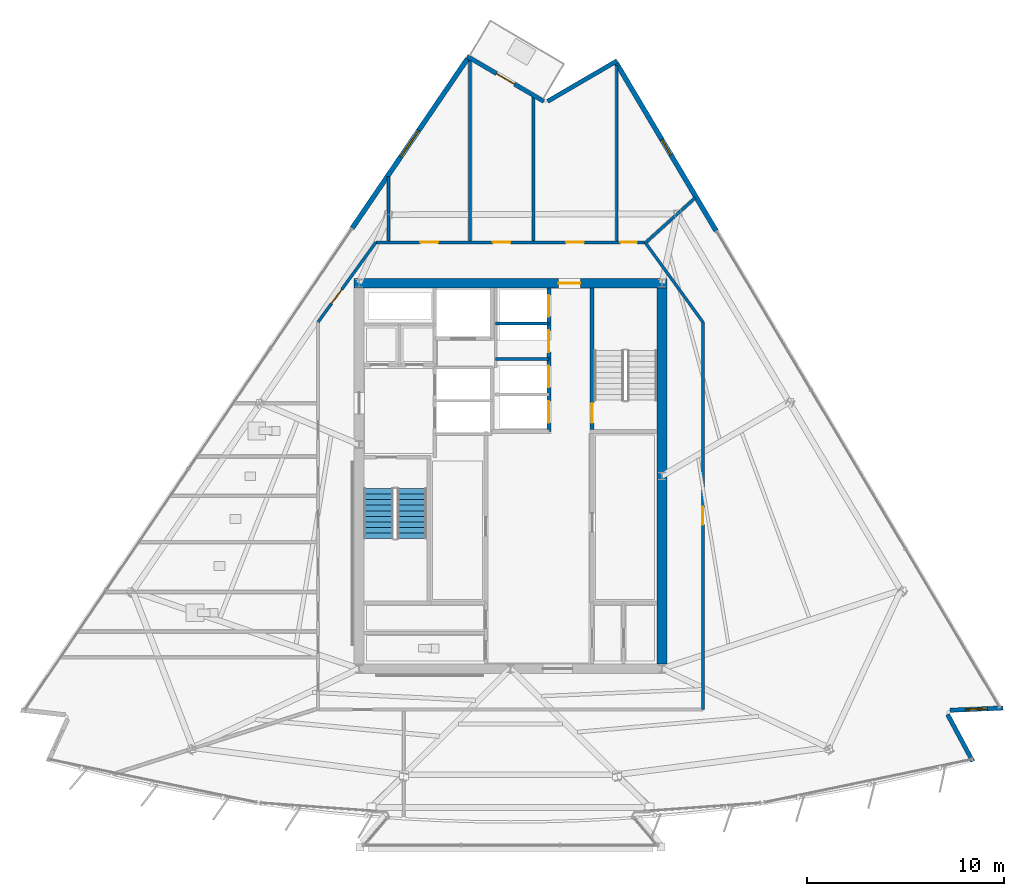
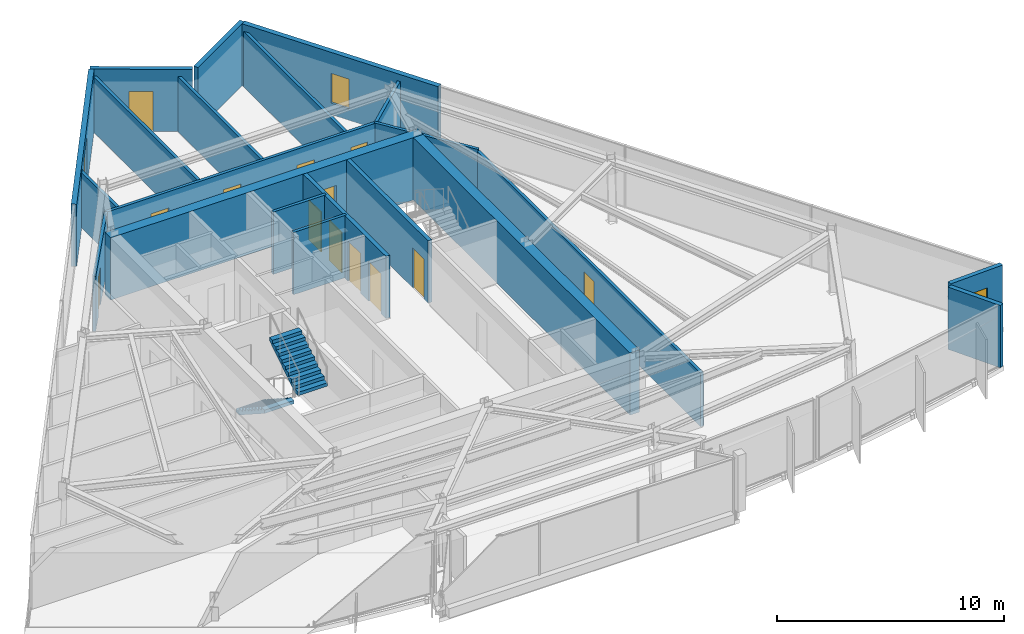
# One storey, part 9 of 14: 21 walls, 13 doors, 3 windows, 2 stair flights, 16 openings, 1 element without a shape of its own.
"""IFC4 building model written with IfcOpenShell, lengths in metres."""

from ifc_helpers import new_model, si_unit, direction, frame, frame_2d, origin, place, context, subcontext, project, spatial, polyline, rectangle, outline, extrude, material, layer, layer_set, type_object, element, fill, aggregate, save


model = new_model("IFC4")

# Units and contexts
model_context = context("Model", 3, precision=1e-05, world=origin(), true_north=direction((0.0, 1.0)))
body_context = subcontext(model_context, "Body", "Model", "MODEL_VIEW")
ifc_project = project(units=[si_unit("LENGTHUNIT", "METRE"), si_unit("AREAUNIT", "SQUARE_METRE"), si_unit("VOLUMEUNIT", "CUBIC_METRE"), si_unit("PLANEANGLEUNIT", "RADIAN"), si_unit("MASSUNIT", "GRAM", prefix="KILO")], contexts=[model_context])

# Site, building, storey
site_placement = place(None, origin())
site = spatial("IfcSite", under=ifc_project, at=site_placement, CompositionType="ELEMENT")
building_placement = place(site_placement, origin())
building = spatial("IfcBuilding", under=site, at=building_placement, Name="Savorim Split Tower", CompositionType="ELEMENT")
storey_placement = place(building_placement, frame((0.0, 0.0, 234.300048828125)))
storey = spatial("IfcBuildingStorey", under=building, at=storey_placement, Name="L62", CompositionType="ELEMENT", Elevation=234.300048828125)

# Wall, opening, door
ifc_material_1 = material(Name="Concrete C60/75", Category="concrete")
ifc_layer_1 = layer(ifc_material_1, 0.5)
ifc_layer_set_1 = layer_set([ifc_layer_1], Name="WAL-COR-SH500")
wall_type_1 = type_object("IfcWallType", Name="WAL-COR-SH500", PredefinedType="SHEAR", material=ifc_layer_set_1)
wall_1_placement = place(storey_placement, frame((7.949951171875, 10.199951171875, 0.0), z_axis=(0.0, 0.0, 1.0), x_axis=(-1.0, 0.0, 0.0)))
wall_1 = element("IfcWall", 1, at=wall_1_placement, inside=storey, type_object=wall_type_1, Name="L62 Offset Core North Shear Wall", PredefinedType="SHEAR", context=body_context, shape_type="SweptSolid", body=[
    extrude(rectangle(XDim=15.89990234375, YDim=0.5, at=frame_2d((7.949951171875, 0.0))), origin(), (0.0, 0.0, 1.0), 3.349853515625),
])
opening_1_placement = place(wall_1_placement, frame((4.39990234375, 0.0, 0.0)))
opening_1 = element("IfcOpeningElement", 2, at=opening_1_placement, cuts=wall_1, Name="Opening DI-03", PredefinedType="OPENING", context=body_context, shape_type="SweptSolid", body=[
    extrude(rectangle(XDim=1.10009765625, YDim=2.14990234375, at=frame_2d((0.550048828125, 1.074951171875))), frame((0.0, 0.260009765625, 0.0), z_axis=(0.0, -1.0, 0.0), x_axis=(1.0, 0.0, 0.0)), (0.0, 0.0, 1.0), 0.52001953125),
])
ifc_material_2 = material(Name="Timber Fire Door Leaf", Category="wood")
door_type_1 = type_object("IfcDoorType", Name="DOR-FIR-1100", OperationType="NOTDEFINED", PredefinedType="DOOR", material=ifc_material_2)
door_1_placement = place(opening_1_placement, origin())
door_1 = element("IfcDoor", 3, at=door_1_placement, inside=storey, type_object=door_type_1, Name="DOR-L62-COR-NLOB - L62 North Corridor Lobby Fire Door", OperationType="SINGLE_SWING_LEFT", OverallHeight=2.14990234375, OverallWidth=1.10009765625, PredefinedType="DOOR", context=body_context, shape_type="SweptSolid", body=[
    extrude(rectangle(XDim=1.10009765625, YDim=2.14990234375, at=frame_2d((0.550048828125, 1.074951171875))), frame((0.0, 0.02490234375, 0.0), z_axis=(0.0, -1.0, 0.0), x_axis=(1.0, 0.0, 0.0)), (0.0, 0.0, 1.0), 0.050048828125),
])
fill(opening_1, door_1)

# Walls
wall_2_placement = place(storey_placement, frame((7.699951171875, 9.949951171875, 0.0), z_axis=(0.0, 0.0, 1.0), x_axis=(0.0, -1.0, 0.0)))
element("IfcWall", 4, at=wall_2_placement, inside=storey, type_object=wall_type_1, Name="L62 Offset Core East Shear Wall", PredefinedType="SHEAR", context=body_context, shape_type="SweptSolid", body=[
    extrude(rectangle(XDim=19.099853515625, YDim=0.5, at=frame_2d((9.5498046875, 0.0))), origin(), (0.0, 0.0, 1.0), 3.349853515625),
])
ifc_material_3 = material(Name="Precast concrete C40/50", Category="concrete")
ifc_layer_2 = layer(ifc_material_3, 0.219970703125)
ifc_layer_set_2 = layer_set([ifc_layer_2], Name="WAL-EXT-CRN220")
wall_type_2 = type_object("IfcWallType", Name="WAL-EXT-CRN220", PredefinedType="SOLIDWALL", material=ifc_layer_set_2)
wall_3_placement = place(storey_placement, frame((22.22412109375, -11.72705078125, 0.0), z_axis=(0.0, 0.0, 1.0), x_axis=(0.47278184311, -0.881179509989, 0.0)))
element("IfcWall", 5, at=wall_3_placement, inside=storey, type_object=wall_type_2, Name="L62 Notched Corner Facade Wall SE1", PredefinedType="SOLIDWALL", context=body_context, shape_type="SweptSolid", body=[
    extrude(rectangle(XDim=2.70751953125, YDim=0.219970703125, at=frame_2d((1.353759765625, 0.0))), origin(), (0.0, 0.0, 1.0), 3.349853515625),
])

# Wall, opening, window
wall_4_placement = place(storey_placement, frame((25.048095703125, -11.3984375, 0.0), z_axis=(0.0, 0.0, 1.0), x_axis=(-0.999095922254, -0.042512799655, 0.0)))
wall_4 = element("IfcWall", 6, at=wall_4_placement, inside=storey, type_object=wall_type_2, Name="L62 Notched Corner Facade Wall SE", PredefinedType="SOLIDWALL", context=body_context, shape_type="SweptSolid", body=[
    extrude(rectangle(XDim=2.704833984375, YDim=0.219970703125, at=frame_2d((1.3525390625, 0.0))), origin(), (0.0, 0.0, 1.0), 3.349853515625),
])
opening_2_placement = place(wall_4_placement, frame((0.802490234375, 0.0, 0.6201171875)))
opening_2 = element("IfcOpeningElement", 7, at=opening_2_placement, cuts=wall_4, Name="Opening WN-09", PredefinedType="OPENING", context=body_context, shape_type="SweptSolid", body=[
    extrude(rectangle(XDim=1.10009765625, YDim=1.800048828125, at=frame_2d((0.550048828125, 0.89990234375))), frame((0.0, 0.119873046875, 0.0), z_axis=(0.0, -1.0, 0.0), x_axis=(1.0, 0.0, 0.0)), (0.0, 0.0, 1.0), 0.239990234375),
])
ifc_material_4 = material(Name="Low-E Operable Double Glazing", Category="glass")
window_type_1 = type_object("IfcWindowType", Name="WIN-TWR-1100x1800", PartitioningType="SINGLE_PANEL", PredefinedType="WINDOW", material=ifc_material_4)
window_1_placement = place(opening_2_placement, origin())
window_1 = element("IfcWindow", 8, at=window_1_placement, inside=storey, type_object=window_type_1, Name="L62 Operable Corner Window SE", OverallHeight=1.800048828125, OverallWidth=1.10009765625, PartitioningType="SINGLE_PANEL", PredefinedType="WINDOW", context=body_context, shape_type="SweptSolid", body=[
    extrude(rectangle(XDim=1.10009765625, YDim=1.800048828125, at=frame_2d((0.550048828125, 0.89990234375))), frame((0.0, 0.030029296875, 0.0), z_axis=(0.0, -1.0, 0.0), x_axis=(1.0, 0.0, 0.0)), (0.0, 0.0, 1.0), 0.06005859375),
])
fill(opening_2, window_1)

# Wall
wall_5_placement = place(storey_placement, frame((1.8837890625, 19.445068359375, 0.0), z_axis=(0.0, 0.0, 1.0), x_axis=(0.863969645804, 0.50354389196, 0.0)))
element("IfcWall", 9, at=wall_5_placement, inside=storey, type_object=wall_type_2, Name="L62 Notched Corner Facade Wall NE1", PredefinedType="SOLIDWALL", context=body_context, shape_type="SweptSolid", body=[
    extrude(rectangle(XDim=4.083740234375, YDim=0.219970703125, at=frame_2d((2.0419921875, 0.0))), origin(), (0.0, 0.0, 1.0), 3.349853515625),
])

# Wall, opening, door
wall_6_placement = place(storey_placement, frame((-2.196533203125, 21.731689453125, 0.0), z_axis=(0.0, 0.0, 1.0), x_axis=(0.862121926844, -0.506700881442, 0.0)))
wall_6 = element("IfcWall", 10, at=wall_6_placement, inside=storey, type_object=wall_type_2, Name="L62 Notched Corner Facade Wall N", PredefinedType="SOLIDWALL", context=body_context, shape_type="SweptSolid", body=[
    extrude(rectangle(XDim=4.51220703125, YDim=0.219970703125, at=frame_2d((2.256103515625, 0.0))), origin(), (0.0, 0.0, 1.0), 3.349853515625),
])
opening_3_placement = place(wall_6_placement, frame((1.731201171875, 0.0, 0.0)))
opening_3 = element("IfcOpeningElement", 11, at=opening_3_placement, cuts=wall_6, Name="Opening DB-01", PredefinedType="OPENING", context=body_context, shape_type="SweptSolid", body=[
    extrude(rectangle(XDim=1.050048828125, YDim=2.14990234375, at=frame_2d((0.52490234375, 1.074951171875))), frame((0.0, 0.119873046875, 0.0), z_axis=(0.0, -1.0, 0.0), x_axis=(1.0, 0.0, 0.0)), (0.0, 0.0, 1.0), 0.239990234375),
])
ifc_material_5 = material(Name="Charcoal Anodised Aluminium", Category="aluminium")
door_type_2 = type_object("IfcDoorType", Name="DOR-BAL-1050", OperationType="NOTDEFINED", PredefinedType="DOOR", material=ifc_material_5)
door_2_placement = place(opening_3_placement, origin())
door_2 = element("IfcDoor", 12, at=door_2_placement, inside=storey, type_object=door_type_2, Name="DOR-L62-TBAL-N - L62 Planted Tree Balcony Door N", OperationType="SINGLE_SWING_LEFT", OverallHeight=2.14990234375, OverallWidth=1.050048828125, PredefinedType="DOOR", context=body_context, shape_type="SweptSolid", body=[
    extrude(rectangle(XDim=1.050048828125, YDim=2.14990234375, at=frame_2d((0.52490234375, 1.074951171875))), frame((0.0, 0.02490234375, 0.0), z_axis=(0.0, -1.0, 0.0), x_axis=(1.0, 0.0, 0.0)), (0.0, 0.0, 1.0), 0.050048828125),
])
fill(opening_3, door_2)

# Wall, opening, window
ifc_layer_3 = layer(ifc_material_3, 0.25)
ifc_layer_set_3 = layer_set([ifc_layer_3], Name="WAL-EXT-SPN250")
wall_type_3 = type_object("IfcWallType", Name="WAL-EXT-SPN250", PredefinedType="SOLIDWALL", material=ifc_layer_set_3)
wall_7_placement = place(storey_placement, frame((5.3955078125, 21.374755859375, 0.0), z_axis=(0.0, 0.0, 1.0), x_axis=(0.511082771111, -0.85953150092, 0.0)))
wall_7 = element("IfcWall", 13, at=wall_7_placement, inside=storey, type_object=wall_type_3, Name="L62 East Operable Window Pier", PredefinedType="SOLIDWALL", context=body_context, shape_type="SweptSolid", body=[
    extrude(rectangle(XDim=9.91064453125, YDim=0.25, at=frame_2d((4.955322265625, 0.0))), origin(), (0.0, 0.0, 1.0), 3.349853515625),
])
opening_4_placement = place(wall_7_placement, frame((4.50537109375, 0.0, 0.6201171875)))
opening_4 = element("IfcOpeningElement", 14, at=opening_4_placement, cuts=wall_7, Name="Opening WN-10", PredefinedType="OPENING", context=body_context, shape_type="SweptSolid", body=[
    extrude(rectangle(XDim=0.89990234375, YDim=1.60009765625, at=frame_2d((0.449951171875, 0.800048828125))), frame((0.0, 0.135009765625, 0.0), z_axis=(0.0, -1.0, 0.0), x_axis=(1.0, 0.0, 0.0)), (0.0, 0.0, 1.0), 0.27001953125),
])
window_type_2 = type_object("IfcWindowType", Name="WIN-TWR-900x1600", PartitioningType="SINGLE_PANEL", PredefinedType="WINDOW", material=ifc_material_4)
window_2_placement = place(opening_4_placement, origin())
window_2 = element("IfcWindow", 15, at=window_2_placement, inside=storey, type_object=window_type_2, Name="L62 East Operable Ventilation Window", OverallHeight=1.60009765625, OverallWidth=0.89990234375, PartitioningType="SINGLE_PANEL", PredefinedType="WINDOW", context=body_context, shape_type="SweptSolid", body=[
    extrude(rectangle(XDim=0.89990234375, YDim=1.60009765625, at=frame_2d((0.449951171875, 0.800048828125))), frame((0.0, 0.030029296875, 0.0), z_axis=(0.0, -1.0, 0.0), x_axis=(1.0, 0.0, 0.0)), (0.0, 0.0, 1.0), 0.06005859375),
])
fill(opening_4, window_2)

wall_8_placement = place(storey_placement, frame((-8.05029296875, 12.998291015625, 0.0), z_axis=(0.0, 0.0, 1.0), x_axis=(0.562447281182, 0.826833148762, 0.0)))
wall_8 = element("IfcWall", 16, at=wall_8_placement, inside=storey, type_object=wall_type_3, Name="L62 West Operable Window Pier", PredefinedType="SOLIDWALL", context=body_context, shape_type="SweptSolid", body=[
    extrude(rectangle(XDim=10.41064453125, YDim=0.25, at=frame_2d((5.205322265625, 0.0))), origin(), (0.0, 0.0, 1.0), 3.349853515625),
])
opening_5_placement = place(wall_8_placement, frame((4.4052734375, 0.0, 0.6201171875)))
opening_5 = element("IfcOpeningElement", 17, at=opening_5_placement, cuts=wall_8, Name="Opening WN-05", PredefinedType="OPENING", context=body_context, shape_type="SweptSolid", body=[
    extrude(rectangle(XDim=1.60009765625, YDim=2.10009765625, at=frame_2d((0.800048828125, 1.050048828125))), frame((0.0, 0.135009765625, 0.0), z_axis=(0.0, -1.0, 0.0), x_axis=(1.0, 0.0, 0.0)), (0.0, 0.0, 1.0), 0.27001953125),
])
window_type_3 = type_object("IfcWindowType", Name="WIN-TWR-1600x2100", PartitioningType="DOUBLE_PANEL_VERTICAL", PredefinedType="WINDOW", material=ifc_material_4)
window_3_placement = place(opening_5_placement, origin())
window_3 = element("IfcWindow", 18, at=window_3_placement, inside=storey, type_object=window_type_3, Name="L62 West Operable Ventilation Window", OverallHeight=2.10009765625, OverallWidth=1.60009765625, PartitioningType="SINGLE_PANEL", PredefinedType="WINDOW", context=body_context, shape_type="SweptSolid", body=[
    extrude(rectangle(XDim=1.60009765625, YDim=2.10009765625, at=frame_2d((0.800048828125, 1.050048828125))), frame((0.0, 0.030029296875, 0.0), z_axis=(0.0, -1.0, 0.0), x_axis=(1.0, 0.0, 0.0)), (0.0, 0.0, 1.0), 0.06005859375),
])
fill(opening_5, window_3)

# Wall, opening, door
ifc_material_6 = material(Name="Concrete C50/60", Category="concrete")
ifc_layer_4 = layer(ifc_material_6, 0.199951171875)
ifc_layer_set_4 = layer_set([ifc_layer_4], Name="WAL-INT-RC200")
wall_type_4 = type_object("IfcWallType", Name="WAL-INT-RC200", PredefinedType="SOLIDWALL", material=ifc_layer_set_4)
wall_9_placement = place(storey_placement, frame((4.14990234375, 2.75, 0.0), z_axis=(0.0, 0.0, 1.0), x_axis=(0.0, 1.0, 0.0)))
wall_9 = element("IfcWall", 19, at=wall_9_placement, inside=storey, type_object=wall_type_4, Name="L62 Structural Shaft Wall W-L62-CR07", PredefinedType="SOLIDWALL", context=body_context, shape_type="SweptSolid", body=[
    extrude(rectangle(XDim=7.199951171875, YDim=0.199951171875, at=frame_2d((3.60009765625, 0.0))), origin(), (0.0, 0.0, 1.0), 3.349853515625),
])
opening_6_placement = place(wall_9_placement, frame((0.35009765625, 0.0, 0.0)))
opening_6 = element("IfcOpeningElement", 20, at=opening_6_placement, cuts=wall_9, Name="Opening DI-04", PredefinedType="OPENING", context=body_context, shape_type="SweptSolid", body=[
    extrude(rectangle(XDim=1.0, YDim=2.14990234375, at=frame_2d((0.5, 1.074951171875))), frame((0.0, 0.10986328125, 0.0), z_axis=(0.0, -1.0, 0.0), x_axis=(1.0, 0.0, 0.0)), (0.0, 0.0, 1.0), 0.219970703125),
])
door_type_3 = type_object("IfcDoorType", Name="DOR-FIR-1000", OperationType="NOTDEFINED", PredefinedType="DOOR", material=ifc_material_2)
door_3_placement = place(opening_6_placement, origin())
door_3 = element("IfcDoor", 21, at=door_3_placement, inside=storey, type_object=door_type_3, Name="DR-L62-ST2 - L62 Stair ST-2 Enclosure Door", OperationType="SINGLE_SWING_RIGHT", OverallHeight=2.14990234375, OverallWidth=1.0, PredefinedType="DOOR", context=body_context, shape_type="SweptSolid", body=[
    extrude(rectangle(XDim=1.0, YDim=2.14990234375, at=frame_2d((0.5, 1.074951171875))), frame((0.0, 0.02490234375, 0.0), z_axis=(0.0, -1.0, 0.0), x_axis=(1.0, 0.0, 0.0)), (0.0, 0.0, 1.0), 0.050048828125),
])
fill(opening_6, door_3)

# Wall, openings, doors
wall_10_placement = place(storey_placement, frame((1.949951171875, 2.64990234375, 0.0), z_axis=(0.0, 0.0, 1.0), x_axis=(0.0, 1.0, 0.0)))
wall_10 = element("IfcWall", 22, at=wall_10_placement, inside=storey, type_object=wall_type_4, Name="L62 Partition W-L62-B3FRONT", PredefinedType="SOLIDWALL", context=body_context, shape_type="SweptSolid", body=[
    extrude(rectangle(XDim=7.295166015625, YDim=0.199951171875, at=frame_2d((3.6474609375, 0.0))), origin(), (0.0, 0.0, 1.0), 3.349853515625),
])
opening_7_placement = place(wall_10_placement, frame((0.449951171875, 0.0, 0.0)))
opening_7 = element("IfcOpeningElement", 23, at=opening_7_placement, cuts=wall_10, Name="Opening LD-03", PredefinedType="OPENING", context=body_context, shape_type="SweptSolid", body=[
    extrude(rectangle(XDim=1.10009765625, YDim=2.14990234375, at=frame_2d((0.550048828125, 1.074951171875))), frame((0.0, 0.10986328125, 0.0), z_axis=(0.0, -1.0, 0.0), x_axis=(1.0, 0.0, 0.0)), (0.0, 0.0, 1.0), 0.219970703125),
])
opening_8_placement = place(wall_10_placement, frame((2.25, 0.0, 0.0)))
opening_8 = element("IfcOpeningElement", 24, at=opening_8_placement, cuts=wall_10, Name="Opening LD-03", PredefinedType="OPENING", context=body_context, shape_type="SweptSolid", body=[
    extrude(rectangle(XDim=1.10009765625, YDim=2.14990234375, at=frame_2d((0.550048828125, 1.074951171875))), frame((0.0, 0.10986328125, 0.0), z_axis=(0.0, -1.0, 0.0), x_axis=(1.0, 0.0, 0.0)), (0.0, 0.0, 1.0), 0.219970703125),
])
opening_9_placement = place(wall_10_placement, frame((4.050048828125, 0.0, 0.0)))
opening_9 = element("IfcOpeningElement", 25, at=opening_9_placement, cuts=wall_10, Name="Opening LD-03", PredefinedType="OPENING", context=body_context, shape_type="SweptSolid", body=[
    extrude(rectangle(XDim=1.10009765625, YDim=2.14990234375, at=frame_2d((0.550048828125, 1.074951171875))), frame((0.0, 0.10986328125, 0.0), z_axis=(0.0, -1.0, 0.0), x_axis=(1.0, 0.0, 0.0)), (0.0, 0.0, 1.0), 0.219970703125),
])
opening_10_placement = place(wall_10_placement, frame((5.85009765625, 0.0, 0.0)))
opening_10 = element("IfcOpeningElement", 26, at=opening_10_placement, cuts=wall_10, Name="Opening LD-03", PredefinedType="OPENING", context=body_context, shape_type="SweptSolid", body=[
    extrude(rectangle(XDim=1.10009765625, YDim=2.14990234375, at=frame_2d((0.550048828125, 1.074951171875))), frame((0.0, 0.10986328125, 0.0), z_axis=(0.0, -1.0, 0.0), x_axis=(1.0, 0.0, 0.0)), (0.0, 0.0, 1.0), 0.219970703125),
])
door_type_4 = type_object("IfcDoorType", Name="DOR-SLD-LDH1100", OperationType="NOTDEFINED", PredefinedType="DOOR", material=ifc_material_5)
door_4_placement = place(opening_7_placement, origin())
door_4 = element("IfcDoor", 27, at=door_4_placement, inside=storey, type_object=door_type_4, Name="DR-L62-LD-PLH1 - L62 Lift PL-H1 Sliding Landing Door", OperationType="DOUBLE_DOOR_SLIDING", OverallHeight=2.14990234375, OverallWidth=1.10009765625, PredefinedType="DOOR", context=body_context, shape_type="SweptSolid", body=[
    extrude(rectangle(XDim=1.10009765625, YDim=2.14990234375, at=frame_2d((0.550048828125, 1.074951171875))), frame((0.0, 0.02490234375, 0.0), z_axis=(0.0, -1.0, 0.0), x_axis=(1.0, 0.0, 0.0)), (0.0, 0.0, 1.0), 0.050048828125),
])
fill(opening_7, door_4)
door_5_placement = place(opening_8_placement, origin())
door_5 = element("IfcDoor", 28, at=door_5_placement, inside=storey, type_object=door_type_4, Name="DR-L62-LD-PLH2 - L62 Lift PL-H2 Sliding Landing Door", OperationType="DOUBLE_DOOR_SLIDING", OverallHeight=2.14990234375, OverallWidth=1.10009765625, PredefinedType="DOOR", context=body_context, shape_type="SweptSolid", body=[
    extrude(rectangle(XDim=1.10009765625, YDim=2.14990234375, at=frame_2d((0.550048828125, 1.074951171875))), frame((0.0, 0.02490234375, 0.0), z_axis=(0.0, -1.0, 0.0), x_axis=(1.0, 0.0, 0.0)), (0.0, 0.0, 1.0), 0.050048828125),
])
fill(opening_8, door_5)
door_6_placement = place(opening_9_placement, origin())
door_6 = element("IfcDoor", 29, at=door_6_placement, inside=storey, type_object=door_type_4, Name="DR-L62-LD-PLH3 - L62 Lift PL-H3 Sliding Landing Door", OperationType="DOUBLE_DOOR_SLIDING", OverallHeight=2.14990234375, OverallWidth=1.10009765625, PredefinedType="DOOR", context=body_context, shape_type="SweptSolid", body=[
    extrude(rectangle(XDim=1.10009765625, YDim=2.14990234375, at=frame_2d((0.550048828125, 1.074951171875))), frame((0.0, 0.02490234375, 0.0), z_axis=(0.0, -1.0, 0.0), x_axis=(1.0, 0.0, 0.0)), (0.0, 0.0, 1.0), 0.050048828125),
])
fill(opening_9, door_6)
door_7_placement = place(opening_10_placement, origin())
door_7 = element("IfcDoor", 30, at=door_7_placement, inside=storey, type_object=door_type_4, Name="DR-L62-LD-PLH4 - L62 Lift PL-H4 Sliding Landing Door", OperationType="DOUBLE_DOOR_SLIDING", OverallHeight=2.14990234375, OverallWidth=1.10009765625, PredefinedType="DOOR", context=body_context, shape_type="SweptSolid", body=[
    extrude(rectangle(XDim=1.10009765625, YDim=2.14990234375, at=frame_2d((0.550048828125, 1.074951171875))), frame((0.0, 0.02490234375, 0.0), z_axis=(0.0, -1.0, 0.0), x_axis=(1.0, 0.0, 0.0)), (0.0, 0.0, 1.0), 0.050048828125),
])
fill(opening_10, door_7)

# Walls
ifc_material_7 = material(Name="Acoustic Gypsum Partition Board")
ifc_layer_5 = layer(ifc_material_7, 0.14990234375)
ifc_layer_set_5 = layer_set([ifc_layer_5], Name="WAL-PAR-150")
wall_type_5 = type_object("IfcWallType", Name="WAL-PAR-150", PredefinedType="PARTITIONING", material=ifc_layer_set_5)
for number, where, z_axis, x_axis, name in (
    (31, (-0.75, 6.35009765625, 0.0), (0.0, 0.0, 1.0), (1.0, 0.0, 0.0), "L62 Partition W-L62-B3DIV2"),
    (32, (-0.75, 8.14990234375, 0.0), (0.0, 0.0, 1.0), (1.0, 0.0, 0.0), "L62 Partition W-L62-B3DIV3"),
):
    element("IfcWall", number, at=place(storey_placement, frame(where, z_axis=z_axis, x_axis=x_axis)), inside=storey, type_object=wall_type_5, Name=name, PredefinedType="PARTITIONING", context=body_context, shape_type="SweptSolid", body=[
        extrude(rectangle(XDim=2.699951171875, YDim=0.14990234375, at=frame_2d((1.35009765625, 0.0))), origin(), (0.0, 0.0, 1.0), 3.349853515625),
    ])

# Wall, opening, door
wall_11_placement = place(storey_placement, frame((-9.780029296875, 8.225830078125, 0.0), z_axis=(0.0, 0.0, 1.0), x_axis=(0.586956386413, 0.809618552436, 0.0)))
wall_11 = element("IfcWall", 33, at=wall_11_placement, inside=storey, type_object=wall_type_5, Name="L62 Partition W-L62-COR-02", PredefinedType="PARTITIONING", context=body_context, shape_type="SweptSolid", body=[
    extrude(rectangle(XDim=5.007568359375, YDim=0.14990234375, at=frame_2d((2.50390625, 0.0))), origin(), (0.0, 0.0, 1.0), 2.974853515625),
])
opening_11_placement = place(wall_11_placement, frame((1.15380859375, 0.0, 0.0)))
opening_11 = element("IfcOpeningElement", 34, at=opening_11_placement, cuts=wall_11, Name="Opening DI-06", PredefinedType="OPENING", context=body_context, shape_type="SweptSolid", body=[
    extrude(rectangle(XDim=0.89990234375, YDim=2.10009765625, at=frame_2d((0.449951171875, 1.050048828125))), frame((0.0, 0.0849609375, 0.0), z_axis=(0.0, -1.0, 0.0), x_axis=(1.0, 0.0, 0.0)), (0.0, 0.0, 1.0), 0.169921875),
])
door_type_5 = type_object("IfcDoorType", Name="DOR-FIR-900", OperationType="NOTDEFINED", PredefinedType="DOOR", material=ifc_material_2)
door_8_placement = place(opening_11_placement, origin())
door_8 = element("IfcDoor", 35, at=door_8_placement, inside=storey, type_object=door_type_5, Name="DR-L62-RM13 - L62 Quiet Study Room Entry Door", OperationType="SINGLE_SWING_RIGHT", OverallHeight=2.10009765625, OverallWidth=0.89990234375, PredefinedType="DOOR", context=body_context, shape_type="SweptSolid", body=[
    extrude(rectangle(XDim=0.89990234375, YDim=2.10009765625, at=frame_2d((0.449951171875, 1.050048828125))), frame((0.0, 0.02490234375, 0.0), z_axis=(0.0, -1.0, 0.0), x_axis=(1.0, 0.0, 0.0)), (0.0, 0.0, 1.0), 0.050048828125),
])
fill(opening_11, door_8)

# Wall, openings, doors
wall_12_placement = place(storey_placement, frame((-6.8408203125, 12.280029296875, 0.0), z_axis=(0.0, 0.0, 1.0), x_axis=(1.0, 0.0, 0.0)))
wall_12 = element("IfcWall", 36, at=wall_12_placement, inside=storey, type_object=wall_type_5, Name="L62 Partition W-L62-COR-03", PredefinedType="PARTITIONING", context=body_context, shape_type="SweptSolid", body=[
    extrude(rectangle(XDim=13.681640625, YDim=0.14990234375, at=frame_2d((6.8408203125, 0.0))), origin(), (0.0, 0.0, 1.0), 2.974853515625),
])
opening_12_placement = place(wall_12_placement, frame((12.423095703125, 0.0, 0.0)))
opening_12 = element("IfcOpeningElement", 37, at=opening_12_placement, cuts=wall_12, Name="Opening DI-13", PredefinedType="OPENING", context=body_context, shape_type="SweptSolid", body=[
    extrude(rectangle(XDim=0.85009765625, YDim=2.10009765625, at=frame_2d((0.425048828125, 1.050048828125))), frame((0.0, 0.0849609375, 0.0), z_axis=(0.0, -1.0, 0.0), x_axis=(1.0, 0.0, 0.0)), (0.0, 0.0, 1.0), 0.169921875),
])
opening_13_placement = place(wall_12_placement, frame((9.673583984375, 0.0, 0.0)))
opening_13 = element("IfcOpeningElement", 38, at=opening_13_placement, cuts=wall_12, Name="Opening DI-06", PredefinedType="OPENING", context=body_context, shape_type="SweptSolid", body=[
    extrude(rectangle(XDim=0.89990234375, YDim=2.10009765625, at=frame_2d((0.449951171875, 1.050048828125))), frame((0.0, 0.0849609375, 0.0), z_axis=(0.0, -1.0, 0.0), x_axis=(1.0, 0.0, 0.0)), (0.0, 0.0, 1.0), 0.169921875),
])
opening_14_placement = place(wall_12_placement, frame((5.940673828125, 0.0, 0.0)))
opening_14 = element("IfcOpeningElement", 39, at=opening_14_placement, cuts=wall_12, Name="Opening DI-06", PredefinedType="OPENING", context=body_context, shape_type="SweptSolid", body=[
    extrude(rectangle(XDim=0.89990234375, YDim=2.10009765625, at=frame_2d((0.449951171875, 1.050048828125))), frame((0.0, 0.0849609375, 0.0), z_axis=(0.0, -1.0, 0.0), x_axis=(1.0, 0.0, 0.0)), (0.0, 0.0, 1.0), 0.169921875),
])
opening_15_placement = place(wall_12_placement, frame((2.2578125, 0.0, 0.0)))
opening_15 = element("IfcOpeningElement", 40, at=opening_15_placement, cuts=wall_12, Name="Opening DI-06", PredefinedType="OPENING", context=body_context, shape_type="SweptSolid", body=[
    extrude(rectangle(XDim=0.89990234375, YDim=2.10009765625, at=frame_2d((0.449951171875, 1.050048828125))), frame((0.0, 0.0849609375, 0.0), z_axis=(0.0, -1.0, 0.0), x_axis=(1.0, 0.0, 0.0)), (0.0, 0.0, 1.0), 0.169921875),
])
door_type_6 = type_object("IfcDoorType", Name="DOR-FIR-850", OperationType="NOTDEFINED", PredefinedType="DOOR", material=ifc_material_2)
door_9_placement = place(opening_12_placement, origin())
door_9 = element("IfcDoor", 41, at=door_9_placement, inside=storey, type_object=door_type_6, Name="DR-L62-RM09 - L62 Quiet Study Room Entry Door", OperationType="SINGLE_SWING_RIGHT", OverallHeight=2.10009765625, OverallWidth=0.85009765625, PredefinedType="DOOR", context=body_context, shape_type="SweptSolid", body=[
    extrude(rectangle(XDim=0.85009765625, YDim=2.10009765625, at=frame_2d((0.425048828125, 1.050048828125))), frame((0.0, 0.02490234375, 0.0), z_axis=(0.0, -1.0, 0.0), x_axis=(1.0, 0.0, 0.0)), (0.0, 0.0, 1.0), 0.050048828125),
])
fill(opening_12, door_9)
door_10_placement = place(opening_13_placement, origin())
door_10 = element("IfcDoor", 42, at=door_10_placement, inside=storey, type_object=door_type_5, Name="DR-L62-RM10 - L62 Quiet Study Room Entry Door", OperationType="SINGLE_SWING_LEFT", OverallHeight=2.10009765625, OverallWidth=0.89990234375, PredefinedType="DOOR", context=body_context, shape_type="SweptSolid", body=[
    extrude(rectangle(XDim=0.89990234375, YDim=2.10009765625, at=frame_2d((0.449951171875, 1.050048828125))), frame((0.0, 0.02490234375, 0.0), z_axis=(0.0, -1.0, 0.0), x_axis=(1.0, 0.0, 0.0)), (0.0, 0.0, 1.0), 0.050048828125),
])
fill(opening_13, door_10)
door_11_placement = place(opening_14_placement, origin())
door_11 = element("IfcDoor", 43, at=door_11_placement, inside=storey, type_object=door_type_5, Name="DR-L62-RM11 - L62 Quiet Study Room Entry Door", OperationType="SINGLE_SWING_RIGHT", OverallHeight=2.10009765625, OverallWidth=0.89990234375, PredefinedType="DOOR", context=body_context, shape_type="SweptSolid", body=[
    extrude(rectangle(XDim=0.89990234375, YDim=2.10009765625, at=frame_2d((0.449951171875, 1.050048828125))), frame((0.0, 0.02490234375, 0.0), z_axis=(0.0, -1.0, 0.0), x_axis=(1.0, 0.0, 0.0)), (0.0, 0.0, 1.0), 0.050048828125),
])
fill(opening_14, door_11)
door_12_placement = place(opening_15_placement, origin())
door_12 = element("IfcDoor", 44, at=door_12_placement, inside=storey, type_object=door_type_5, Name="DR-L62-RM12 - L62 Quiet Study Room Entry Door", OperationType="SINGLE_SWING_LEFT", OverallHeight=2.10009765625, OverallWidth=0.89990234375, PredefinedType="DOOR", context=body_context, shape_type="SweptSolid", body=[
    extrude(rectangle(XDim=0.89990234375, YDim=2.10009765625, at=frame_2d((0.449951171875, 1.050048828125))), frame((0.0, 0.02490234375, 0.0), z_axis=(0.0, -1.0, 0.0), x_axis=(1.0, 0.0, 0.0)), (0.0, 0.0, 1.0), 0.050048828125),
])
fill(opening_15, door_12)

# Wall
wall_13_placement = place(storey_placement, frame((6.8408203125, 12.280029296875, 0.0), z_axis=(0.0, 0.0, 1.0), x_axis=(0.586956386413, -0.809618552436, 0.0)))
element("IfcWall", 45, at=wall_13_placement, inside=storey, type_object=wall_type_5, Name="L62 Partition W-L62-COR-04", PredefinedType="PARTITIONING", context=body_context, shape_type="SweptSolid", body=[
    extrude(rectangle(XDim=5.007568359375, YDim=0.14990234375, at=frame_2d((2.50390625, 0.0))), origin(), (0.0, 0.0, 1.0), 2.994873046875),
])

# Wall, opening, door
wall_14_placement = place(storey_placement, frame((9.780029296875, 8.225830078125, 0.0), z_axis=(0.0, 0.0, 1.0), x_axis=(0.0, -1.0, 0.0)))
wall_14 = element("IfcWall", 46, at=wall_14_placement, inside=storey, type_object=wall_type_5, Name="L62 Partition W-L62-COR-05", PredefinedType="PARTITIONING", context=body_context, shape_type="SweptSolid", body=[
    extrude(rectangle(XDim=19.705810546875, YDim=0.14990234375, at=frame_2d((9.85302734375, 0.0))), origin(), (0.0, 0.0, 1.0), 2.875),
])
opening_16_placement = place(wall_14_placement, frame((9.403076171875, 0.0, 0.0)))
opening_16 = element("IfcOpeningElement", 47, at=opening_16_placement, cuts=wall_14, Name="Opening DI-06", PredefinedType="OPENING", context=body_context, shape_type="SweptSolid", body=[
    extrude(rectangle(XDim=0.89990234375, YDim=2.10009765625, at=frame_2d((0.449951171875, 1.050048828125))), frame((0.0, 0.0849609375, 0.0), z_axis=(0.0, -1.0, 0.0), x_axis=(1.0, 0.0, 0.0)), (0.0, 0.0, 1.0), 0.169921875),
])
door_13_placement = place(opening_16_placement, origin())
door_13 = element("IfcDoor", 48, at=door_13_placement, inside=storey, type_object=door_type_5, Name="DR-L62-RM08 - L62 Maker Workshop Entry Door", OperationType="SINGLE_SWING_LEFT", OverallHeight=2.10009765625, OverallWidth=0.89990234375, PredefinedType="DOOR", context=body_context, shape_type="SweptSolid", body=[
    extrude(rectangle(XDim=0.89990234375, YDim=2.10009765625, at=frame_2d((0.449951171875, 1.050048828125))), frame((0.0, 0.02490234375, 0.0), z_axis=(0.0, -1.0, 0.0), x_axis=(1.0, 0.0, 0.0)), (0.0, 0.0, 1.0), 0.050048828125),
])
fill(opening_16, door_13)

# Walls
wall_15_placement = place(storey_placement, frame((6.905029296875, 12.29248046875, 0.0), z_axis=(0.0, 0.0, 1.0), x_axis=(0.741738834203, 0.670688826383, 0.0)))
element("IfcWall", 49, at=wall_15_placement, inside=storey, type_object=wall_type_5, Name="L62 Partition W-L62-PRAD07", PredefinedType="PARTITIONING", context=body_context, shape_type="SweptSolid", body=[
    extrude(rectangle(XDim=3.360595703125, YDim=0.14990234375, at=frame_2d((1.68017578125, 0.0))), origin(), (0.0, 0.0, 1.0), 2.974853515625),
])
wall_16_placement = place(storey_placement, frame((-6.201904296875, 12.340087890625, 0.0), z_axis=(0.0, 0.0, 1.0), x_axis=(0.0, 1.0, 0.0)))
element("IfcWall", 50, at=wall_16_placement, inside=storey, type_object=wall_type_5, Name="L62 Partition W-L62-PRAD08", PredefinedType="PARTITIONING", context=body_context, shape_type="SweptSolid", body=[
    extrude(rectangle(XDim=3.286865234375, YDim=0.14990234375, at=frame_2d((1.6435546875, 0.0))), origin(), (0.0, 0.0, 1.0), 2.974853515625),
])
wall_17_placement = place(storey_placement, frame((1.16357421875, 12.340087890625, 0.0), z_axis=(0.0, 0.0, 1.0), x_axis=(0.0, 1.0, 0.0)))
element("IfcWall", 51, at=wall_17_placement, inside=storey, type_object=wall_type_5, Name="L62 Partition W-L62-SUB03", PredefinedType="PARTITIONING", context=body_context, shape_type="SweptSolid", body=[
    extrude(rectangle(XDim=7.35888671875, YDim=0.14990234375, at=frame_2d((3.679443359375, 0.0))), origin(), (0.0, 0.0, 1.0), 2.974853515625),
])
wall_18_placement = place(storey_placement, frame((5.40185546875, 12.340087890625, 0.0), z_axis=(0.0, 0.0, 1.0), x_axis=(0.0, 1.0, 0.0)))
element("IfcWall", 52, at=wall_18_placement, inside=storey, type_object=wall_type_5, Name="L62 Partition W-L62-SUB06", PredefinedType="PARTITIONING", context=body_context, shape_type="SweptSolid", body=[
    extrude(rectangle(XDim=8.926025390625, YDim=0.14990234375, at=frame_2d((4.462890625, 0.0))), origin(), (0.0, 0.0, 1.0), 2.974853515625),
])
wall_19_placement = place(storey_placement, frame((-2.06396484375, 12.340087890625, 0.0), z_axis=(0.0, 0.0, 1.0), x_axis=(0.0, 1.0, 0.0)))
element("IfcWall", 53, at=wall_19_placement, inside=storey, type_object=wall_type_5, Name="L62 Partition W-L62-SUB07", PredefinedType="PARTITIONING", context=body_context, shape_type="SweptSolid", body=[
    extrude(rectangle(XDim=9.255615234375, YDim=0.14990234375, at=frame_2d((4.6279296875, 0.0))), origin(), (0.0, 0.0, 1.0), 2.974853515625),
])

# Stair, stair flights
stair_type = type_object("IfcStairType", Name="STR-DOG-3600", PredefinedType="HALF_TURN_STAIR", material=ifc_material_6)
stair_placement = place(storey_placement, origin())
stair = element("IfcStair", 54, at=stair_placement, inside=storey, type_object=stair_type, Name="L62 Core Protected Exit Stair ST-1", PredefinedType="HALF_TURN_STAIR")
stair_flight_type = type_object("IfcStairFlightType", Name="SFL-DOG-3600", PredefinedType="STRAIGHT", material=ifc_material_6)
stair_flight_1_placement = place(storey_placement, frame((-6.699951171875, -0.25, 0.0), z_axis=(0.0, 0.0, 1.0), x_axis=(0.0, -1.0, 0.0)))
stair_flight_1 = element("IfcStairFlight", 55, at=stair_flight_1_placement, type_object=stair_flight_type, Name="ST-1 flight 1", NumberOfRisers=10, NumberOfTreads=9, PredefinedType="STRAIGHT", RiserHeight=0.18, TreadLength=0.28, context=body_context, shape_type="SweptSolid", body=[
    extrude(outline(polyline([(0.0, 0.0), (0.0, 0.179931640625), (0.280029296875, 0.179931640625), (0.280029296875, 0.360107421875), (0.56005859375, 0.360107421875), (0.56005859375, 0.5400390625), (0.840087890625, 0.5400390625), (0.840087890625, 0.719970703125), (1.1201171875, 0.719970703125), (1.1201171875, 0.89990234375), (1.39990234375, 0.89990234375), (1.39990234375, 1.080078125), (1.679931640625, 1.080078125), (1.679931640625, 1.260009765625), (1.9599609375, 1.260009765625), (1.9599609375, 1.43994140625), (2.239990234375, 1.43994140625), (2.239990234375, 1.6201171875), (2.52001953125, 1.6201171875), (2.52001953125, 1.800048828125), (2.52001953125, 1.44189453125), (0.277099609375, 0.0), (0.0, 0.0)])), frame((0.0, 0.75, 0.0), z_axis=(0.0, -1.0, 0.0), x_axis=(1.0, 0.0, 0.0)), (0.0, 0.0, 1.0), 1.5),
])
stair_flight_2_placement = place(storey_placement, frame((-5.0, -2.77001953125, 1.800048828125), z_axis=(0.0, 0.0, 1.0), x_axis=(0.0, 1.0, 0.0)))
stair_flight_2 = element("IfcStairFlight", 56, at=stair_flight_2_placement, type_object=stair_flight_type, Name="ST-1 flight 2", NumberOfRisers=10, NumberOfTreads=9, PredefinedType="STRAIGHT", RiserHeight=0.18, TreadLength=0.28, context=body_context, shape_type="SweptSolid", body=[
    extrude(outline(polyline([(0.0, 0.0), (0.0, 0.179931640625), (0.280029296875, 0.179931640625), (0.280029296875, 0.360107421875), (0.56005859375, 0.360107421875), (0.56005859375, 0.5400390625), (0.840087890625, 0.5400390625), (0.840087890625, 0.719970703125), (1.1201171875, 0.719970703125), (1.1201171875, 0.89990234375), (1.39990234375, 0.89990234375), (1.39990234375, 1.080078125), (1.679931640625, 1.080078125), (1.679931640625, 1.260009765625), (1.9599609375, 1.260009765625), (1.9599609375, 1.43994140625), (2.239990234375, 1.43994140625), (2.239990234375, 1.6201171875), (2.52001953125, 1.6201171875), (2.52001953125, 1.800048828125), (2.52001953125, 1.44189453125), (0.277099609375, 0.0), (0.0, 0.0)])), frame((0.0, 0.75, 0.0), z_axis=(0.0, -1.0, 0.0), x_axis=(1.0, 0.0, 0.0)), (0.0, 0.0, 1.0), 1.5),
])
aggregate(stair, [stair_flight_1, stair_flight_2])

save(model, "model.ifc")
